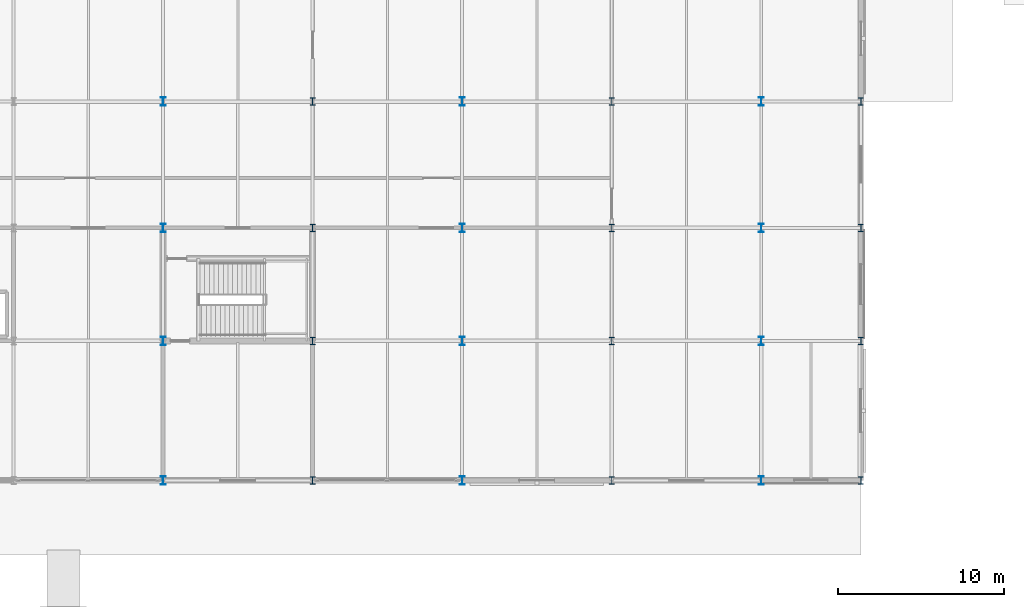
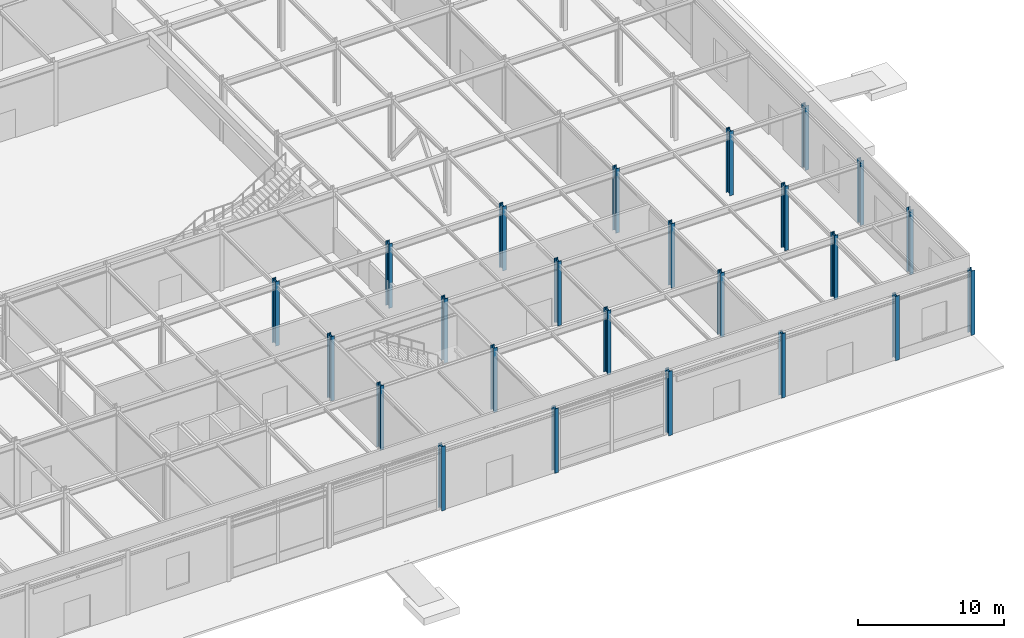
# One storey, part 17 of 89: 24 columns.
"""IFC4 building model written with IfcOpenShell, lengths in metres."""

import ifcopenshell
import ifcopenshell.guid

model = None  # the IFC model being written
_history = None  # IfcOwnerHistory: only IFC2X3 demands one
_inside = {}  # id of a spatial element -> (the spatial element, [elements in it])
_under = {}  # id of a project, library or spatial element -> (it, [spatial elements below it])
_declared = {}  # id of a project -> (the project, [libraries it declares])
_typed = {}  # id of a type object -> (the type object, [elements of that type])
_made_of = {}  # id of a material, layer set ... -> (it, [elements and type objects made of it])


def new_model(schema):
    """Start an empty IFC model of exactly this schema.

    Asked for "IFC4X3", IfcOpenShell would pick the latest addendum, in which some entities
    have other attributes; the version numbers below select the first issue.
    IFC2X3 requires an IfcOwnerHistory on every rooted entity: one is made here for all.
    """
    global model, _history
    if schema == "IFC4X3":
        model = ifcopenshell.file(schema_version=(4, 3, 0, 0))
    else:
        model = ifcopenshell.file(schema=schema)
    _inside.clear()
    _under.clear()
    _declared.clear()
    _typed.clear()
    _made_of.clear()
    _history = None
    if model.schema == "IFC2X3":
        org = make("IfcOrganization", Name="unknown")
        user = make(
            "IfcPersonAndOrganization",
            ThePerson=make("IfcPerson", FamilyName="unknown"),
            TheOrganization=org,
        )
        app = make(
            "IfcApplication",
            ApplicationDeveloper=org,
            Version="unknown",
            ApplicationFullName="unknown",
            ApplicationIdentifier="unknown",
        )
        _history = make(
            "IfcOwnerHistory",
            OwningUser=user,
            OwningApplication=app,
            ChangeAction="ADDED",
            CreationDate=0,
        )
    return model


def make(cls, **values):
    """One entity of the class cls with the attributes given. An attribute that is None is left unset."""
    return model.create_entity(
        cls, **{name: value for name, value in values.items() if value is not None}
    )


def rooted(cls, **values):
    """An entity with a GlobalId (a new one), such as an element, a storey or a relation."""
    return make(cls, GlobalId=ifcopenshell.guid.new(), OwnerHistory=_history, **values)


def si_unit(unit_type, name, prefix=None):
    """IfcSIUnit, for example si_unit("LENGTHUNIT", "METRE", prefix="MILLI")."""
    return make("IfcSIUnit", UnitType=unit_type, Prefix=prefix, Name=name)


def assignment(units):
    """IfcUnitAssignment: the units of a project."""
    return None if units is None else make("IfcUnitAssignment", Units=units)


def point(xyz):
    """IfcCartesianPoint."""
    return None if xyz is None else make("IfcCartesianPoint", Coordinates=xyz)


def direction(xyz):
    """IfcDirection."""
    return None if xyz is None else make("IfcDirection", DirectionRatios=xyz)


def frame(location, z_axis=None, x_axis=None):
    """IfcAxis2Placement3D, a coordinate frame: its origin and axes. An axis left out is left unset."""
    return make(
        "IfcAxis2Placement3D",
        Location=point(location),
        Axis=direction(z_axis),
        RefDirection=direction(x_axis),
    )


def frame_2d(location, x_axis=None):
    """IfcAxis2Placement2D, a coordinate frame in the plane: its origin and x axis."""
    return make(
        "IfcAxis2Placement2D", Location=point(location), RefDirection=direction(x_axis)
    )


def origin():
    """The frame at (0, 0, 0) with its axes left unset."""
    return frame((0.0, 0.0, 0.0))


def origin_2d():
    """The frame at (0, 0) in the plane with its x axis left unset."""
    return frame_2d((0.0, 0.0))


def place(relative_to, where):
    """IfcLocalPlacement: puts the frame where relative to a parent placement (None: the world)."""
    return make(
        "IfcLocalPlacement", PlacementRelTo=relative_to, RelativePlacement=where
    )


def context(
    kind, dimensions, precision=None, world=None, true_north=None, identifier=None
):
    """IfcGeometricRepresentationContext, for example the 3D "Model" context."""
    return make(
        "IfcGeometricRepresentationContext",
        ContextIdentifier=identifier,
        ContextType=kind,
        CoordinateSpaceDimension=dimensions,
        Precision=precision,
        WorldCoordinateSystem=world,
        TrueNorth=true_north,
    )


def subcontext(parent, identifier, kind, view, scale=None):
    """IfcGeometricRepresentationSubContext, for example "Body" below "Model"."""
    return make(
        "IfcGeometricRepresentationSubContext",
        ContextIdentifier=identifier,
        ContextType=kind,
        ParentContext=parent,
        TargetScale=scale,
        TargetView=view,
    )


def project(units=None, contexts=None):
    """IfcProject with its units and contexts."""
    return rooted(
        "IfcProject",
        Name="project",
        RepresentationContexts=contexts,
        UnitsInContext=assignment(units),
    )


def spatial(cls, under=None, at=None, **own):
    """A site, building, storey or space (cls), placed at a placement, below another one or the project."""
    s = rooted(cls, ObjectPlacement=at, **own)
    if under is not None:
        _under.setdefault(under.id(), (under, []))[1].append(s)
    return s


def profile(cls, at=None, kind="AREA", **sizes):
    """A parametric profile (cls). Its sizes go by their IFC names, for example OverallWidth=200.0."""
    return make(cls, ProfileType=kind, Position=at, **sizes)


def i_section(**sizes):
    """IfcIShapeProfileDef."""
    return profile("IfcIShapeProfileDef", **sizes)


def extrude(swept, where, along, depth):
    """IfcExtrudedAreaSolid: the profile swept, set in the frame where, extruded along a direction by depth."""
    return make(
        "IfcExtrudedAreaSolid",
        SweptArea=swept,
        Position=where,
        ExtrudedDirection=direction(along),
        Depth=depth,
    )


def shape(context_of_items, identifier, shape_type, items):
    """IfcShapeRepresentation: the items that make up one representation, for example the "Body"."""
    return make(
        "IfcShapeRepresentation",
        ContextOfItems=context_of_items,
        RepresentationIdentifier=identifier,
        RepresentationType=shape_type,
        Items=items,
    )


def material(Name=None, Category=None):
    """IfcMaterial."""
    return make("IfcMaterial", Name=Name, Category=Category)


def material_profile(
    of_material, cross_section, Name=None, Category=None, Priority=None
):
    """IfcMaterialProfile: a cross section and its material."""
    return make(
        "IfcMaterialProfile",
        Name=Name,
        Material=of_material,
        Profile=cross_section,
        Priority=Priority,
        Category=Category,
    )


def profile_set(profiles, Name=None, composite=None):
    """IfcMaterialProfileSet."""
    return make(
        "IfcMaterialProfileSet",
        Name=Name,
        MaterialProfiles=profiles,
        CompositeProfile=composite,
    )


def made_of(thing, what):
    """Note that an element or type object is made of a material, layer set ...; save() writes the relation."""
    if what is not None:
        _made_of.setdefault(what.id(), (what, []))[1].append(thing)
    return thing


def type_object(cls, material=None, **own):
    """A type object (cls), such as IfcWallType, which elements share."""
    return made_of(rooted(cls, **own), material)


def element(
    cls,
    number,
    at=None,
    inside=None,
    cuts=None,
    type_object=None,
    material=None,
    context=None,
    identifier="Body",
    shape_type=None,
    held_by="IfcProductDefinitionShape",
    body=None,
    shapes=None,
    **own,
):
    """One element of the class cls, such as IfcWall. Its Tag is "e" and its number.

    at: its placement. inside: the storey or other place that contains it. cuts: it is an
    opening in that element (IfcRelVoidsElement). A single representation is given by context,
    identifier, shape_type and body (its items); several are given by shapes. held_by: the class
    of the entity that holds the representations. save() writes the other relations.
    """
    e = rooted(cls, Tag="e%d" % number, ObjectPlacement=at, **own)
    if body is not None:
        shapes = [shape(context, identifier, shape_type, body)]
    if shapes is not None:
        e.Representation = make(held_by, Representations=shapes)
    if inside is not None:
        _inside.setdefault(inside.id(), (inside, []))[1].append(e)
    if cuts is not None:
        rooted(
            "IfcRelVoidsElement", RelatingBuildingElement=cuts, RelatedOpeningElement=e
        )
    if type_object is not None:
        _typed.setdefault(type_object.id(), (type_object, []))[1].append(e)
    return made_of(e, material)


def aggregate(whole, parts):
    """IfcRelAggregates: a whole, such as a stair, and the parts it consists of."""
    return rooted("IfcRelAggregates", RelatingObject=whole, RelatedObjects=parts)


def save(model, path):
    """Write the relations noted so far, then the file.

    IfcRelAggregates (storeys below a building ...), IfcRelContainedInSpatialStructure (elements
    in a storey), IfcRelDefinesByType, IfcRelAssociatesMaterial and IfcRelDeclares: one each for
    every whole, place, type object, material and project.
    """
    for whole, parts in _under.values():
        aggregate(whole, parts)
    for where, things in _inside.values():
        rooted(
            "IfcRelContainedInSpatialStructure",
            RelatedElements=things,
            RelatingStructure=where,
        )
    for kind, things in _typed.values():
        rooted("IfcRelDefinesByType", RelatedObjects=things, RelatingType=kind)
    for what, things in _made_of.values():
        rooted("IfcRelAssociatesMaterial", RelatedObjects=things, RelatingMaterial=what)
    for by, libraries in _declared.values():
        rooted("IfcRelDeclares", RelatingContext=by, RelatedDefinitions=libraries)
    model.write(path)


model = new_model("IFC4")

# Units and contexts
model_context = context("Model", 3, precision=1e-05, world=origin(), true_north=direction((0.0, 1.0)))
body_context = subcontext(model_context, "Body", "Model", "MODEL_VIEW")
ifc_project = project(units=[si_unit("LENGTHUNIT", "METRE"), si_unit("AREAUNIT", "SQUARE_METRE"), si_unit("VOLUMEUNIT", "CUBIC_METRE"), si_unit("PLANEANGLEUNIT", "RADIAN"), si_unit("MASSUNIT", "GRAM", prefix="KILO")], contexts=[model_context])

# Site, building, storey
site_placement = place(None, origin())
site = spatial("IfcSite", under=ifc_project, at=site_placement, CompositionType="ELEMENT")
building_placement = place(site_placement, origin())
building = spatial("IfcBuilding", under=site, at=building_placement, Name="Shalkamar Park Central Library", CompositionType="ELEMENT")
storey_placement = place(building_placement, origin())
storey = spatial("IfcBuildingStorey", under=building, at=storey_placement, Name="L01", CompositionType="ELEMENT", Elevation=0.0)

# Columns
ifc_material = material(Name="Steel S355", Category="steel")
ifc_material_profile_1 = material_profile(ifc_material, i_section(OverallWidth=0.300048828125, OverallDepth=0.449951171875, WebThickness=0.013916015625, FlangeThickness=0.02587890625, FilletRadius=0.027099609375, at=origin_2d()), Name="HEB 450")
ifc_profile_set_1 = profile_set([ifc_material_profile_1], Name="Steel S355")
column_type_1 = type_object("IfcColumnType", Name="Column Steel HEB450", PredefinedType="COLUMN", material=ifc_profile_set_1)
for number, where, z_axis, x_axis, name in (
    (1, (255.0, 240.0, 0.0), (0.0, 0.0, 1.0), (1.0, 0.0, 0.0), "Column 18/A (L01)"),
    (2, (255.0, 248.39990234375, 0.0), (0.0, 0.0, 1.0), (1.0, 0.0, 0.0), "Column 18/B (L01)"),
    (3, (255.0, 255.199951171875, 0.0), (0.0, 0.0, 1.0), (1.0, 0.0, 0.0), "Column 18/C (L01)"),
    (4, (255.0, 262.800048828125, 0.0), (0.0, 0.0, 1.0), (1.0, 0.0, 0.0), "Column 18/D (L01)"),
    (5, (273.0, 240.0, 0.0), (0.0, 0.0, 1.0), (1.0, 0.0, 0.0), "Column 20/A (L01)"),
    (6, (273.0, 248.39990234375, 0.0), (0.0, 0.0, 1.0), (1.0, 0.0, 0.0), "Column 20/B (L01)"),
    (7, (273.0, 255.199951171875, 0.0), (0.0, 0.0, 1.0), (1.0, 0.0, 0.0), "Column 20/C (L01)"),
    (8, (273.0, 262.800048828125, 0.0), (0.0, 0.0, 1.0), (1.0, 0.0, 0.0), "Column 20/D (L01)"),
    (9, (288.0, 240.0, 0.0), (0.0, 0.0, 1.0), (1.0, 0.0, 0.0), "Column 22/A (L01)"),
    (10, (288.0, 248.39990234375, 0.0), (0.0, 0.0, 1.0), (1.0, 0.0, 0.0), "Column 22/B (L01)"),
    (11, (288.0, 255.199951171875, 0.0), (0.0, 0.0, 1.0), (1.0, 0.0, 0.0), "Column 22/C (L01)"),
    (12, (288.0, 262.800048828125, 0.0), (0.0, 0.0, 1.0), (1.0, 0.0, 0.0), "Column 22/D (L01)"),
):
    element("IfcColumn", number, at=place(storey_placement, frame(where, z_axis=z_axis, x_axis=x_axis)), inside=storey, type_object=column_type_1, Name=name, PredefinedType="COLUMN", context=body_context, shape_type="SweptSolid", body=[
        extrude(i_section(OverallWidth=0.300048828125, OverallDepth=0.449951171875, WebThickness=0.013916015625, FlangeThickness=0.02587890625, FilletRadius=0.027099609375, at=origin_2d()), origin(), (0.0, 0.0, 1.0), 5.39990234375),
    ])
ifc_material_profile_2 = material_profile(ifc_material, i_section(OverallWidth=0.300048828125, OverallDepth=0.5, WebThickness=0.014404296875, FlangeThickness=0.028076171875, FilletRadius=0.027099609375, at=origin_2d()), Name="HEB 500")
ifc_profile_set_2 = profile_set([ifc_material_profile_2], Name="Steel S355")
column_type_2 = type_object("IfcColumnType", Name="Column Steel HEB500", PredefinedType="COLUMN", material=ifc_profile_set_2)
for number, where, z_axis, x_axis, name in (
    (13, (246.0, 240.0, 0.0), (0.0, 0.0, 1.0), (1.0, 0.0, 0.0), "Column 17/A (L01)"),
    (14, (246.0, 248.39990234375, 0.0), (0.0, 0.0, 1.0), (1.0, 0.0, 0.0), "Column 17/B (L01)"),
    (15, (246.0, 255.199951171875, 0.0), (0.0, 0.0, 1.0), (1.0, 0.0, 0.0), "Column 17/C (L01)"),
    (16, (246.0, 262.800048828125, 0.0), (0.0, 0.0, 1.0), (1.0, 0.0, 0.0), "Column 17/D (L01)"),
    (17, (264.0, 240.0, 0.0), (0.0, 0.0, 1.0), (1.0, 0.0, 0.0), "Column 19/A (L01)"),
    (18, (264.0, 248.39990234375, 0.0), (0.0, 0.0, 1.0), (1.0, 0.0, 0.0), "Column 19/B (L01)"),
    (19, (264.0, 255.199951171875, 0.0), (0.0, 0.0, 1.0), (1.0, 0.0, 0.0), "Column 19/C (L01)"),
    (20, (264.0, 262.800048828125, 0.0), (0.0, 0.0, 1.0), (1.0, 0.0, 0.0), "Column 19/D (L01)"),
    (21, (282.0, 240.0, 0.0), (0.0, 0.0, 1.0), (1.0, 0.0, 0.0), "Column 21/A (L01)"),
    (22, (282.0, 248.39990234375, 0.0), (0.0, 0.0, 1.0), (1.0, 0.0, 0.0), "Column 21/B (L01)"),
    (23, (282.0, 255.199951171875, 0.0), (0.0, 0.0, 1.0), (1.0, 0.0, 0.0), "Column 21/C (L01)"),
    (24, (282.0, 262.800048828125, 0.0), (0.0, 0.0, 1.0), (1.0, 0.0, 0.0), "Column 21/D (L01)"),
):
    element("IfcColumn", number, at=place(storey_placement, frame(where, z_axis=z_axis, x_axis=x_axis)), inside=storey, type_object=column_type_2, Name=name, PredefinedType="COLUMN", context=body_context, shape_type="SweptSolid", body=[
        extrude(i_section(OverallWidth=0.300048828125, OverallDepth=0.5, WebThickness=0.014404296875, FlangeThickness=0.028076171875, FilletRadius=0.027099609375, at=origin_2d()), origin(), (0.0, 0.0, 1.0), 5.39990234375),
    ])

save(model, "model.ifc")
